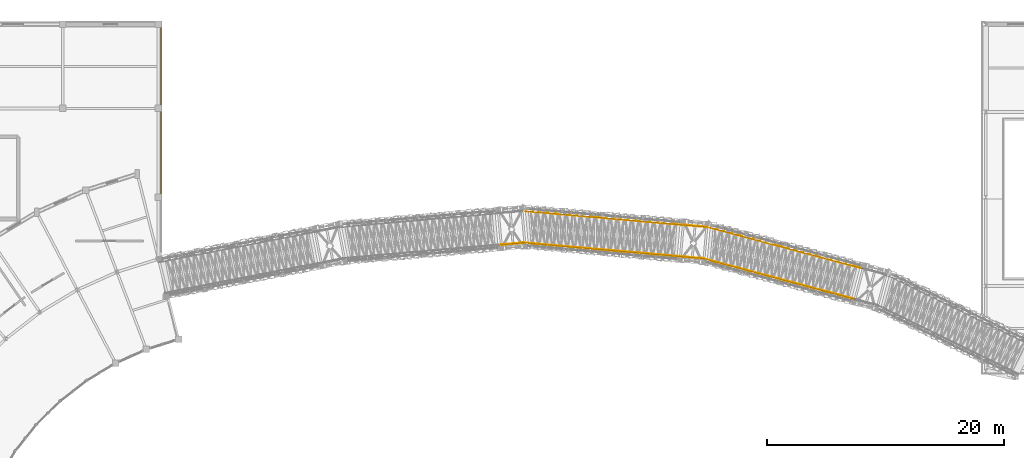
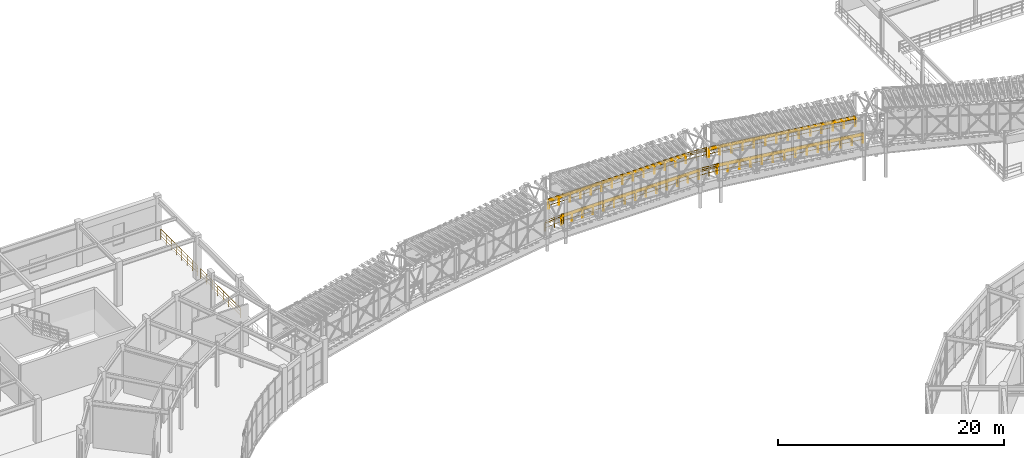
# One storey, part 139 of 144: 16 railings.
"""IFC4 building model written with IfcOpenShell, lengths in metres."""

import ifcopenshell
import ifcopenshell.guid

model = None  # the IFC model being written
_history = None  # IfcOwnerHistory: only IFC2X3 demands one
_inside = {}  # id of a spatial element -> (the spatial element, [elements in it])
_under = {}  # id of a project, library or spatial element -> (it, [spatial elements below it])
_declared = {}  # id of a project -> (the project, [libraries it declares])
_typed = {}  # id of a type object -> (the type object, [elements of that type])
_made_of = {}  # id of a material, layer set ... -> (it, [elements and type objects made of it])


def new_model(schema):
    """Start an empty IFC model of exactly this schema.

    Asked for "IFC4X3", IfcOpenShell would pick the latest addendum, in which some entities
    have other attributes; the version numbers below select the first issue.
    IFC2X3 requires an IfcOwnerHistory on every rooted entity: one is made here for all.
    """
    global model, _history
    if schema == "IFC4X3":
        model = ifcopenshell.file(schema_version=(4, 3, 0, 0))
    else:
        model = ifcopenshell.file(schema=schema)
    _inside.clear()
    _under.clear()
    _declared.clear()
    _typed.clear()
    _made_of.clear()
    _history = None
    if model.schema == "IFC2X3":
        org = make("IfcOrganization", Name="unknown")
        user = make(
            "IfcPersonAndOrganization",
            ThePerson=make("IfcPerson", FamilyName="unknown"),
            TheOrganization=org,
        )
        app = make(
            "IfcApplication",
            ApplicationDeveloper=org,
            Version="unknown",
            ApplicationFullName="unknown",
            ApplicationIdentifier="unknown",
        )
        _history = make(
            "IfcOwnerHistory",
            OwningUser=user,
            OwningApplication=app,
            ChangeAction="ADDED",
            CreationDate=0,
        )
    return model


def make(cls, **values):
    """One entity of the class cls with the attributes given. An attribute that is None is left unset."""
    return model.create_entity(
        cls, **{name: value for name, value in values.items() if value is not None}
    )


def rooted(cls, **values):
    """An entity with a GlobalId (a new one), such as an element, a storey or a relation."""
    return make(cls, GlobalId=ifcopenshell.guid.new(), OwnerHistory=_history, **values)


def si_unit(unit_type, name, prefix=None):
    """IfcSIUnit, for example si_unit("LENGTHUNIT", "METRE", prefix="MILLI")."""
    return make("IfcSIUnit", UnitType=unit_type, Prefix=prefix, Name=name)


def assignment(units):
    """IfcUnitAssignment: the units of a project."""
    return None if units is None else make("IfcUnitAssignment", Units=units)


def point(xyz):
    """IfcCartesianPoint."""
    return None if xyz is None else make("IfcCartesianPoint", Coordinates=xyz)


def direction(xyz):
    """IfcDirection."""
    return None if xyz is None else make("IfcDirection", DirectionRatios=xyz)


def frame(location, z_axis=None, x_axis=None):
    """IfcAxis2Placement3D, a coordinate frame: its origin and axes. An axis left out is left unset."""
    return make(
        "IfcAxis2Placement3D",
        Location=point(location),
        Axis=direction(z_axis),
        RefDirection=direction(x_axis),
    )


def frame_2d(location, x_axis=None):
    """IfcAxis2Placement2D, a coordinate frame in the plane: its origin and x axis."""
    return make(
        "IfcAxis2Placement2D", Location=point(location), RefDirection=direction(x_axis)
    )


def origin():
    """The frame at (0, 0, 0) with its axes left unset."""
    return frame((0.0, 0.0, 0.0))


def origin_2d():
    """The frame at (0, 0) in the plane with its x axis left unset."""
    return frame_2d((0.0, 0.0))


def place(relative_to, where):
    """IfcLocalPlacement: puts the frame where relative to a parent placement (None: the world)."""
    return make(
        "IfcLocalPlacement", PlacementRelTo=relative_to, RelativePlacement=where
    )


def context(
    kind, dimensions, precision=None, world=None, true_north=None, identifier=None
):
    """IfcGeometricRepresentationContext, for example the 3D "Model" context."""
    return make(
        "IfcGeometricRepresentationContext",
        ContextIdentifier=identifier,
        ContextType=kind,
        CoordinateSpaceDimension=dimensions,
        Precision=precision,
        WorldCoordinateSystem=world,
        TrueNorth=true_north,
    )


def subcontext(parent, identifier, kind, view, scale=None):
    """IfcGeometricRepresentationSubContext, for example "Body" below "Model"."""
    return make(
        "IfcGeometricRepresentationSubContext",
        ContextIdentifier=identifier,
        ContextType=kind,
        ParentContext=parent,
        TargetScale=scale,
        TargetView=view,
    )


def project(units=None, contexts=None):
    """IfcProject with its units and contexts."""
    return rooted(
        "IfcProject",
        Name="project",
        RepresentationContexts=contexts,
        UnitsInContext=assignment(units),
    )


def spatial(cls, under=None, at=None, **own):
    """A site, building, storey or space (cls), placed at a placement, below another one or the project."""
    s = rooted(cls, ObjectPlacement=at, **own)
    if under is not None:
        _under.setdefault(under.id(), (under, []))[1].append(s)
    return s


def profile(cls, at=None, kind="AREA", **sizes):
    """A parametric profile (cls). Its sizes go by their IFC names, for example OverallWidth=200.0."""
    return make(cls, ProfileType=kind, Position=at, **sizes)


def circle(**sizes):
    """IfcCircleProfileDef."""
    return profile("IfcCircleProfileDef", **sizes)


def extrude(swept, where, along, depth):
    """IfcExtrudedAreaSolid: the profile swept, set in the frame where, extruded along a direction by depth."""
    return make(
        "IfcExtrudedAreaSolid",
        SweptArea=swept,
        Position=where,
        ExtrudedDirection=direction(along),
        Depth=depth,
    )


def shape(context_of_items, identifier, shape_type, items):
    """IfcShapeRepresentation: the items that make up one representation, for example the "Body"."""
    return make(
        "IfcShapeRepresentation",
        ContextOfItems=context_of_items,
        RepresentationIdentifier=identifier,
        RepresentationType=shape_type,
        Items=items,
    )


def material(Name=None, Category=None):
    """IfcMaterial."""
    return make("IfcMaterial", Name=Name, Category=Category)


def made_of(thing, what):
    """Note that an element or type object is made of a material, layer set ...; save() writes the relation."""
    if what is not None:
        _made_of.setdefault(what.id(), (what, []))[1].append(thing)
    return thing


def type_object(cls, material=None, **own):
    """A type object (cls), such as IfcWallType, which elements share."""
    return made_of(rooted(cls, **own), material)


def element(
    cls,
    number,
    at=None,
    inside=None,
    cuts=None,
    type_object=None,
    material=None,
    context=None,
    identifier="Body",
    shape_type=None,
    held_by="IfcProductDefinitionShape",
    body=None,
    shapes=None,
    **own,
):
    """One element of the class cls, such as IfcWall. Its Tag is "e" and its number.

    at: its placement. inside: the storey or other place that contains it. cuts: it is an
    opening in that element (IfcRelVoidsElement). A single representation is given by context,
    identifier, shape_type and body (its items); several are given by shapes. held_by: the class
    of the entity that holds the representations. save() writes the other relations.
    """
    e = rooted(cls, Tag="e%d" % number, ObjectPlacement=at, **own)
    if body is not None:
        shapes = [shape(context, identifier, shape_type, body)]
    if shapes is not None:
        e.Representation = make(held_by, Representations=shapes)
    if inside is not None:
        _inside.setdefault(inside.id(), (inside, []))[1].append(e)
    if cuts is not None:
        rooted(
            "IfcRelVoidsElement", RelatingBuildingElement=cuts, RelatedOpeningElement=e
        )
    if type_object is not None:
        _typed.setdefault(type_object.id(), (type_object, []))[1].append(e)
    return made_of(e, material)


def aggregate(whole, parts):
    """IfcRelAggregates: a whole, such as a stair, and the parts it consists of."""
    return rooted("IfcRelAggregates", RelatingObject=whole, RelatedObjects=parts)


def save(model, path):
    """Write the relations noted so far, then the file.

    IfcRelAggregates (storeys below a building ...), IfcRelContainedInSpatialStructure (elements
    in a storey), IfcRelDefinesByType, IfcRelAssociatesMaterial and IfcRelDeclares: one each for
    every whole, place, type object, material and project.
    """
    for whole, parts in _under.values():
        aggregate(whole, parts)
    for where, things in _inside.values():
        rooted(
            "IfcRelContainedInSpatialStructure",
            RelatedElements=things,
            RelatingStructure=where,
        )
    for kind, things in _typed.values():
        rooted("IfcRelDefinesByType", RelatedObjects=things, RelatingType=kind)
    for what, things in _made_of.values():
        rooted("IfcRelAssociatesMaterial", RelatedObjects=things, RelatingMaterial=what)
    for by, libraries in _declared.values():
        rooted("IfcRelDeclares", RelatingContext=by, RelatedDefinitions=libraries)
    model.write(path)


model = new_model("IFC4")

# Units and contexts
model_context = context("Model", 3, precision=1e-05, world=origin(), true_north=direction((0.0, 1.0)))
body_context = subcontext(model_context, "Body", "Model", "MODEL_VIEW")
ifc_project = project(units=[si_unit("LENGTHUNIT", "METRE"), si_unit("AREAUNIT", "SQUARE_METRE"), si_unit("VOLUMEUNIT", "CUBIC_METRE"), si_unit("PLANEANGLEUNIT", "RADIAN"), si_unit("MASSUNIT", "GRAM", prefix="KILO")], contexts=[model_context])

# Site, building, storey
site_placement = place(None, origin())
site = spatial("IfcSite", under=ifc_project, at=site_placement, CompositionType="ELEMENT")
building_placement = place(site_placement, origin())
building = spatial("IfcBuilding", under=site, at=building_placement, Name="Cinderbank Siding Concert Hall", CompositionType="ELEMENT")
storey_placement = place(building_placement, frame((0.0, 0.0, 5.39990234375)))
storey = spatial("IfcBuildingStorey", under=building, at=storey_placement, Name="L02", CompositionType="ELEMENT", Elevation=5.39990234375)

# Railings
ifc_material = material(Name="Structural steel AS/NZS 3679.1 Grade 350 (340 MPa)", Category="steel")
railing_type_1 = type_object("IfcRailingType", Name="GD-01 Terrace & Perimeter Guardrail 1120mm", PredefinedType="GUARDRAIL", material=ifc_material)
railing_1_placement = place(storey_placement, frame((77.4619140625, 99.283203125, 1.920166015625)))
element("IfcRailing", 1, at=railing_1_placement, inside=storey, type_object=railing_type_1, Name="Bridge Guardrail 4-R", PredefinedType="GUARDRAIL", context=body_context, shape_type="SweptSolid", body=[
    extrude(circle(Radius=0.02392578125, at=origin_2d()), frame((0.0, 0.0, 1.09619140625), z_axis=(0.99619464492, 0.087156350505, 0.0), x_axis=(-0.087156350505, 0.99619464492, 0.0)), (0.0, 0.0, 1.0), 2.0),
    extrude(circle(Radius=0.01611328125, at=origin_2d()), frame((0.0, 0.0, 0.36962890625), z_axis=(0.99619464492, 0.087156350505, 0.0), x_axis=(-0.087156350505, 0.99619464492, 0.0)), (0.0, 0.0, 1.0), 2.0),
    extrude(circle(Radius=0.01611328125, at=origin_2d()), frame((0.0, 0.0, 0.7392578125), z_axis=(0.99619464492, 0.087156350505, 0.0), x_axis=(-0.087156350505, 0.99619464492, 0.0)), (0.0, 0.0, 1.0), 2.0),
    extrude(circle(Radius=0.02099609375, at=origin_2d()), origin(), (0.0, 0.0, 1.0), 1.072021484375),
    extrude(circle(Radius=0.02099609375, at=origin_2d()), frame((0.99609375, 0.087158203125, 0.0)), (0.0, 0.0, 1.0), 1.072021484375),
    extrude(circle(Radius=0.02099609375, at=origin_2d()), frame((1.992431640625, 0.17431640625, 0.0)), (0.0, 0.0, 1.0), 1.072021484375),
])
railing_2_placement = place(storey_placement, frame((79.454345703125, 102.126220703125, 1.920166015625)))
element("IfcRailing", 2, at=railing_2_placement, inside=storey, type_object=railing_type_1, Name="Bridge Guardrail 5-L", PredefinedType="GUARDRAIL", context=body_context, shape_type="SweptSolid", body=[
    extrude(circle(Radius=0.02392578125, at=origin_2d()), frame((0.0, 0.0, 1.09619140625), z_axis=(0.993663242366, -0.086934888803, 0.071243848015), x_axis=(0.087156359341, 0.996194644147, 0.0)), (0.0, 0.0, 1.0), 13.474365234375),
    extrude(circle(Radius=0.01611328125, at=origin_2d()), frame((0.0, 0.0, 0.36962890625), z_axis=(0.993663242366, -0.086934888803, 0.071243848015), x_axis=(0.087156359341, 0.996194644147, 0.0)), (0.0, 0.0, 1.0), 13.474365234375),
    extrude(circle(Radius=0.01611328125, at=origin_2d()), frame((0.0, 0.0, 0.7392578125), z_axis=(0.993663242366, -0.086934888803, 0.071243848015), x_axis=(0.087156359341, 0.996194644147, 0.0)), (0.0, 0.0, 1.0), 13.474365234375),
    extrude(circle(Radius=0.02099609375, at=origin_2d()), origin(), (0.0, 0.0, 1.0), 1.072021484375),
    extrude(circle(Radius=0.02099609375, at=origin_2d()), frame((1.030029296875, -0.090087890625, 0.07373046875)), (0.0, 0.0, 1.0), 1.072021484375),
    extrude(circle(Radius=0.02099609375, at=origin_2d()), frame((2.059814453125, -0.18017578125, 0.147705078125)), (0.0, 0.0, 1.0), 1.072021484375),
    extrude(circle(Radius=0.02099609375, at=origin_2d()), frame((3.08984375, -0.270263671875, 0.221435546875)), (0.0, 0.0, 1.0), 1.072021484375),
    extrude(circle(Radius=0.02099609375, at=origin_2d()), frame((4.11962890625, -0.3603515625, 0.29541015625)), (0.0, 0.0, 1.0), 1.072021484375),
    extrude(circle(Radius=0.02099609375, at=origin_2d()), frame((5.149658203125, -0.450439453125, 0.369140625)), (0.0, 0.0, 1.0), 1.072021484375),
    extrude(circle(Radius=0.02099609375, at=origin_2d()), frame((6.179443359375, -0.54052734375, 0.443115234375)), (0.0, 0.0, 1.0), 1.072021484375),
    extrude(circle(Radius=0.02099609375, at=origin_2d()), frame((7.20947265625, -0.630859375, 0.516845703125)), (0.0, 0.0, 1.0), 1.072021484375),
    extrude(circle(Radius=0.02099609375, at=origin_2d()), frame((8.2392578125, -0.720947265625, 0.5908203125)), (0.0, 0.0, 1.0), 1.072021484375),
    extrude(circle(Radius=0.02099609375, at=origin_2d()), frame((9.269287109375, -0.81103515625, 0.66455078125)), (0.0, 0.0, 1.0), 1.072021484375),
    extrude(circle(Radius=0.02099609375, at=origin_2d()), frame((10.299072265625, -0.901123046875, 0.738525390625)), (0.0, 0.0, 1.0), 1.072021484375),
    extrude(circle(Radius=0.02099609375, at=origin_2d()), frame((11.3291015625, -0.9912109375, 0.812255859375)), (0.0, 0.0, 1.0), 1.072021484375),
    extrude(circle(Radius=0.02099609375, at=origin_2d()), frame((12.35888671875, -1.081298828125, 0.88623046875)), (0.0, 0.0, 1.0), 1.072021484375),
    extrude(circle(Radius=0.02099609375, at=origin_2d()), frame((13.388916015625, -1.17138671875, 0.9599609375)), (0.0, 0.0, 1.0), 1.072021484375),
])
railing_3_placement = place(storey_placement, frame((79.220947265625, 99.45751953125, 1.920166015625)))
element("IfcRailing", 3, at=railing_3_placement, inside=storey, type_object=railing_type_1, Name="Bridge Guardrail 5-R", PredefinedType="GUARDRAIL", context=body_context, shape_type="SweptSolid", body=[
    extrude(circle(Radius=0.02392578125, at=origin_2d()), frame((0.0, 0.0, 1.09619140625), z_axis=(0.993661677016, -0.086952870808, 0.071243735782), x_axis=(0.087174386455, 0.996193066803, 0.0)), (0.0, 0.0, 1.0), 13.474365234375),
    extrude(circle(Radius=0.01611328125, at=origin_2d()), frame((0.0, 0.0, 0.36962890625), z_axis=(0.993661677016, -0.086952870808, 0.071243735782), x_axis=(0.087174386455, 0.996193066803, 0.0)), (0.0, 0.0, 1.0), 13.474365234375),
    extrude(circle(Radius=0.01611328125, at=origin_2d()), frame((0.0, 0.0, 0.7392578125), z_axis=(0.993661677016, -0.086952870808, 0.071243735782), x_axis=(0.087174386455, 0.996193066803, 0.0)), (0.0, 0.0, 1.0), 13.474365234375),
    extrude(circle(Radius=0.02099609375, at=origin_2d()), origin(), (0.0, 0.0, 1.0), 1.072021484375),
    extrude(circle(Radius=0.02099609375, at=origin_2d()), frame((1.030029296875, -0.090087890625, 0.07373046875)), (0.0, 0.0, 1.0), 1.072021484375),
    extrude(circle(Radius=0.02099609375, at=origin_2d()), frame((2.059814453125, -0.18017578125, 0.147705078125)), (0.0, 0.0, 1.0), 1.072021484375),
    extrude(circle(Radius=0.02099609375, at=origin_2d()), frame((3.08984375, -0.270263671875, 0.221435546875)), (0.0, 0.0, 1.0), 1.072021484375),
    extrude(circle(Radius=0.02099609375, at=origin_2d()), frame((4.11962890625, -0.360595703125, 0.29541015625)), (0.0, 0.0, 1.0), 1.072021484375),
    extrude(circle(Radius=0.02099609375, at=origin_2d()), frame((5.149658203125, -0.45068359375, 0.369140625)), (0.0, 0.0, 1.0), 1.072021484375),
    extrude(circle(Radius=0.02099609375, at=origin_2d()), frame((6.179443359375, -0.540771484375, 0.443115234375)), (0.0, 0.0, 1.0), 1.072021484375),
    extrude(circle(Radius=0.02099609375, at=origin_2d()), frame((7.20947265625, -0.630859375, 0.516845703125)), (0.0, 0.0, 1.0), 1.072021484375),
    extrude(circle(Radius=0.02099609375, at=origin_2d()), frame((8.2392578125, -0.720947265625, 0.5908203125)), (0.0, 0.0, 1.0), 1.072021484375),
    extrude(circle(Radius=0.02099609375, at=origin_2d()), frame((9.269287109375, -0.81103515625, 0.66455078125)), (0.0, 0.0, 1.0), 1.072021484375),
    extrude(circle(Radius=0.02099609375, at=origin_2d()), frame((10.299072265625, -0.9013671875, 0.738525390625)), (0.0, 0.0, 1.0), 1.072021484375),
    extrude(circle(Radius=0.02099609375, at=origin_2d()), frame((11.3291015625, -0.991455078125, 0.812255859375)), (0.0, 0.0, 1.0), 1.072021484375),
    extrude(circle(Radius=0.02099609375, at=origin_2d()), frame((12.35888671875, -1.08154296875, 0.88623046875)), (0.0, 0.0, 1.0), 1.072021484375),
    extrude(circle(Radius=0.02099609375, at=origin_2d()), frame((13.388916015625, -1.171630859375, 0.9599609375)), (0.0, 0.0, 1.0), 1.072021484375),
])
railing_4_placement = place(storey_placement, frame((92.84326171875, 100.954833984375, 2.880126953125)))
element("IfcRailing", 4, at=railing_4_placement, inside=storey, type_object=railing_type_1, Name="Bridge Guardrail 6-L", PredefinedType="GUARDRAIL", context=body_context, shape_type="SweptSolid", body=[
    extrude(circle(Radius=0.02392578125, at=origin_2d()), frame((0.0, 0.0, 1.09619140625), z_axis=(0.99619464492, -0.087156350505, 0.0), x_axis=(0.087156350505, 0.99619464492, 0.0)), (0.0, 0.0, 1.0), 2.0),
    extrude(circle(Radius=0.01611328125, at=origin_2d()), frame((0.0, 0.0, 0.36962890625), z_axis=(0.99619464492, -0.087156350505, 0.0), x_axis=(0.087156350505, 0.99619464492, 0.0)), (0.0, 0.0, 1.0), 2.0),
    extrude(circle(Radius=0.01611328125, at=origin_2d()), frame((0.0, 0.0, 0.7392578125), z_axis=(0.99619464492, -0.087156350505, 0.0), x_axis=(0.087156350505, 0.99619464492, 0.0)), (0.0, 0.0, 1.0), 2.0),
    extrude(circle(Radius=0.02099609375, at=origin_2d()), origin(), (0.0, 0.0, 1.0), 1.072021484375),
    extrude(circle(Radius=0.02099609375, at=origin_2d()), frame((0.99609375, -0.087158203125, 0.0)), (0.0, 0.0, 1.0), 1.072021484375),
    extrude(circle(Radius=0.02099609375, at=origin_2d()), frame((1.992431640625, -0.17431640625, 0.0)), (0.0, 0.0, 1.0), 1.072021484375),
])
railing_5_placement = place(storey_placement, frame((92.60986328125, 98.285888671875, 2.880126953125)))
element("IfcRailing", 5, at=railing_5_placement, inside=storey, type_object=railing_type_1, Name="Bridge Guardrail 6-R", PredefinedType="GUARDRAIL", context=body_context, shape_type="SweptSolid", body=[
    extrude(circle(Radius=0.02392578125, at=origin_2d()), frame((0.0, 0.0, 1.09619140625), z_axis=(0.996205236158, -0.087035208109, 0.0), x_axis=(0.087035208109, 0.996205236158, 0.0)), (0.0, 0.0, 1.0), 2.0),
    extrude(circle(Radius=0.01611328125, at=origin_2d()), frame((0.0, 0.0, 0.36962890625), z_axis=(0.996205236158, -0.087035208109, 0.0), x_axis=(0.087035208109, 0.996205236158, 0.0)), (0.0, 0.0, 1.0), 2.0),
    extrude(circle(Radius=0.01611328125, at=origin_2d()), frame((0.0, 0.0, 0.7392578125), z_axis=(0.996205236158, -0.087035208109, 0.0), x_axis=(0.087035208109, 0.996205236158, 0.0)), (0.0, 0.0, 1.0), 2.0),
    extrude(circle(Radius=0.02099609375, at=origin_2d()), origin(), (0.0, 0.0, 1.0), 1.072021484375),
    extrude(circle(Radius=0.02099609375, at=origin_2d()), frame((0.99609375, -0.0869140625, 0.0)), (0.0, 0.0, 1.0), 1.072021484375),
    extrude(circle(Radius=0.02099609375, at=origin_2d()), frame((1.992431640625, -0.174072265625, 0.0)), (0.0, 0.0, 1.0), 1.072021484375),
])
railing_6_placement = place(storey_placement, frame((95.065673828125, 100.739990234375, 2.880126953125)))
element("IfcRailing", 6, at=railing_6_placement, inside=storey, type_object=railing_type_1, Name="Bridge Guardrail 7-L", PredefinedType="GUARDRAIL", context=body_context, shape_type="SweptSolid", body=[
    extrude(circle(Radius=0.02392578125, at=origin_2d()), frame((0.0, 0.0, 1.09619140625), z_axis=(0.963470962707, -0.25816252824, 0.071244740387), x_axis=(0.258820225426, 0.965925510022, 0.0)), (0.0, 0.0, 1.0), 13.47412109375),
    extrude(circle(Radius=0.01611328125, at=origin_2d()), frame((0.0, 0.0, 0.36962890625), z_axis=(0.963470962707, -0.25816252824, 0.071244740387), x_axis=(0.258820225426, 0.965925510022, 0.0)), (0.0, 0.0, 1.0), 13.47412109375),
    extrude(circle(Radius=0.01611328125, at=origin_2d()), frame((0.0, 0.0, 0.7392578125), z_axis=(0.963470962707, -0.25816252824, 0.071244740387), x_axis=(0.258820225426, 0.965925510022, 0.0)), (0.0, 0.0, 1.0), 13.47412109375),
    extrude(circle(Radius=0.02099609375, at=origin_2d()), origin(), (0.0, 0.0, 1.0), 1.072021484375),
    extrude(circle(Radius=0.02099609375, at=origin_2d()), frame((0.99853515625, -0.267578125, 0.07373046875)), (0.0, 0.0, 1.0), 1.072021484375),
    extrude(circle(Radius=0.02099609375, at=origin_2d()), frame((1.997314453125, -0.53515625, 0.147705078125)), (0.0, 0.0, 1.0), 1.072021484375),
    extrude(circle(Radius=0.02099609375, at=origin_2d()), frame((2.995849609375, -0.802734375, 0.221435546875)), (0.0, 0.0, 1.0), 1.072021484375),
    extrude(circle(Radius=0.02099609375, at=origin_2d()), frame((3.994384765625, -1.0703125, 0.29541015625)), (0.0, 0.0, 1.0), 1.072021484375),
    extrude(circle(Radius=0.02099609375, at=origin_2d()), frame((4.9931640625, -1.337890625, 0.369140625)), (0.0, 0.0, 1.0), 1.072021484375),
    extrude(circle(Radius=0.02099609375, at=origin_2d()), frame((5.99169921875, -1.60546875, 0.443115234375)), (0.0, 0.0, 1.0), 1.072021484375),
    extrude(circle(Radius=0.02099609375, at=origin_2d()), frame((6.990234375, -1.873046875, 0.516845703125)), (0.0, 0.0, 1.0), 1.072021484375),
    extrude(circle(Radius=0.02099609375, at=origin_2d()), frame((7.98876953125, -2.140625, 0.5908203125)), (0.0, 0.0, 1.0), 1.072021484375),
    extrude(circle(Radius=0.02099609375, at=origin_2d()), frame((8.987548828125, -2.408203125, 0.66455078125)), (0.0, 0.0, 1.0), 1.072021484375),
    extrude(circle(Radius=0.02099609375, at=origin_2d()), frame((9.986083984375, -2.67578125, 0.738525390625)), (0.0, 0.0, 1.0), 1.072021484375),
    extrude(circle(Radius=0.02099609375, at=origin_2d()), frame((10.984619140625, -2.943359375, 0.812255859375)), (0.0, 0.0, 1.0), 1.072021484375),
    extrude(circle(Radius=0.02099609375, at=origin_2d()), frame((11.9833984375, -3.2109375, 0.88623046875)), (0.0, 0.0, 1.0), 1.072021484375),
    extrude(circle(Radius=0.02099609375, at=origin_2d()), frame((12.98193359375, -3.478515625, 0.9599609375)), (0.0, 0.0, 1.0), 1.072021484375),
])
railing_7_placement = place(storey_placement, frame((94.372314453125, 98.152099609375, 2.880126953125)))
element("IfcRailing", 7, at=railing_7_placement, inside=storey, type_object=railing_type_1, Name="Bridge Guardrail 7-R", PredefinedType="GUARDRAIL", context=body_context, shape_type="SweptSolid", body=[
    extrude(circle(Radius=0.02392578125, at=origin_2d()), frame((0.0, 0.0, 1.09619140625), z_axis=(0.963470962707, -0.25816252824, 0.071244740387), x_axis=(0.258820225426, 0.965925510022, 0.0)), (0.0, 0.0, 1.0), 13.47412109375),
    extrude(circle(Radius=0.01611328125, at=origin_2d()), frame((0.0, 0.0, 0.36962890625), z_axis=(0.963470962707, -0.25816252824, 0.071244740387), x_axis=(0.258820225426, 0.965925510022, 0.0)), (0.0, 0.0, 1.0), 13.47412109375),
    extrude(circle(Radius=0.01611328125, at=origin_2d()), frame((0.0, 0.0, 0.7392578125), z_axis=(0.963470962707, -0.25816252824, 0.071244740387), x_axis=(0.258820225426, 0.965925510022, 0.0)), (0.0, 0.0, 1.0), 13.47412109375),
    extrude(circle(Radius=0.02099609375, at=origin_2d()), origin(), (0.0, 0.0, 1.0), 1.072021484375),
    extrude(circle(Radius=0.02099609375, at=origin_2d()), frame((0.99853515625, -0.267578125, 0.07373046875)), (0.0, 0.0, 1.0), 1.072021484375),
    extrude(circle(Radius=0.02099609375, at=origin_2d()), frame((1.997314453125, -0.53515625, 0.147705078125)), (0.0, 0.0, 1.0), 1.072021484375),
    extrude(circle(Radius=0.02099609375, at=origin_2d()), frame((2.995849609375, -0.802734375, 0.221435546875)), (0.0, 0.0, 1.0), 1.072021484375),
    extrude(circle(Radius=0.02099609375, at=origin_2d()), frame((3.994384765625, -1.0703125, 0.29541015625)), (0.0, 0.0, 1.0), 1.072021484375),
    extrude(circle(Radius=0.02099609375, at=origin_2d()), frame((4.9931640625, -1.337890625, 0.369140625)), (0.0, 0.0, 1.0), 1.072021484375),
    extrude(circle(Radius=0.02099609375, at=origin_2d()), frame((5.99169921875, -1.60546875, 0.443115234375)), (0.0, 0.0, 1.0), 1.072021484375),
    extrude(circle(Radius=0.02099609375, at=origin_2d()), frame((6.990234375, -1.873046875, 0.516845703125)), (0.0, 0.0, 1.0), 1.072021484375),
    extrude(circle(Radius=0.02099609375, at=origin_2d()), frame((7.98876953125, -2.140625, 0.5908203125)), (0.0, 0.0, 1.0), 1.072021484375),
    extrude(circle(Radius=0.02099609375, at=origin_2d()), frame((8.987548828125, -2.408203125, 0.66455078125)), (0.0, 0.0, 1.0), 1.072021484375),
    extrude(circle(Radius=0.02099609375, at=origin_2d()), frame((9.986083984375, -2.67578125, 0.738525390625)), (0.0, 0.0, 1.0), 1.072021484375),
    extrude(circle(Radius=0.02099609375, at=origin_2d()), frame((10.984619140625, -2.943359375, 0.812255859375)), (0.0, 0.0, 1.0), 1.072021484375),
    extrude(circle(Radius=0.02099609375, at=origin_2d()), frame((11.9833984375, -3.2109375, 0.88623046875)), (0.0, 0.0, 1.0), 1.072021484375),
    extrude(circle(Radius=0.02099609375, at=origin_2d()), frame((12.98193359375, -3.478515625, 0.9599609375)), (0.0, 0.0, 1.0), 1.072021484375),
])
railing_8_placement = place(storey_placement, frame((48.699951171875, 117.6318359375, 0.0)))
element("IfcRailing", 8, at=railing_8_placement, inside=storey, type_object=railing_type_1, Name="L02 Perimeter Guardrail #44", PredefinedType="GUARDRAIL", context=body_context, shape_type="SweptSolid", body=[
    extrude(circle(Radius=0.02392578125, at=origin_2d()), frame((0.0, 0.0, 1.09619140625), z_axis=(0.0, -1.0, 0.0), x_axis=(1.0, 0.0, 0.0)), (0.0, 0.0, 1.0), 6.563720703125),
    extrude(circle(Radius=0.01611328125, at=origin_2d()), frame((0.0, 0.0, 0.36962890625), z_axis=(0.0, -1.0, 0.0), x_axis=(1.0, 0.0, 0.0)), (0.0, 0.0, 1.0), 6.563720703125),
    extrude(circle(Radius=0.01611328125, at=origin_2d()), frame((0.0, 0.0, 0.7392578125), z_axis=(0.0, -1.0, 0.0), x_axis=(1.0, 0.0, 0.0)), (0.0, 0.0, 1.0), 6.563720703125),
    extrude(circle(Radius=0.02099609375, at=origin_2d()), origin(), (0.0, 0.0, 1.0), 1.072021484375),
    extrude(circle(Radius=0.02099609375, at=origin_2d()), frame((0.0, -0.937744140625, 0.0)), (0.0, 0.0, 1.0), 1.072021484375),
    extrude(circle(Radius=0.02099609375, at=origin_2d()), frame((0.0, -1.875244140625, 0.0)), (0.0, 0.0, 1.0), 1.072021484375),
    extrude(circle(Radius=0.02099609375, at=origin_2d()), frame((0.0, -2.81298828125, 0.0)), (0.0, 0.0, 1.0), 1.072021484375),
    extrude(circle(Radius=0.02099609375, at=origin_2d()), frame((0.0, -3.750732421875, 0.0)), (0.0, 0.0, 1.0), 1.072021484375),
    extrude(circle(Radius=0.02099609375, at=origin_2d()), frame((0.0, -4.6884765625, 0.0)), (0.0, 0.0, 1.0), 1.072021484375),
    extrude(circle(Radius=0.02099609375, at=origin_2d()), frame((0.0, -5.6259765625, 0.0)), (0.0, 0.0, 1.0), 1.072021484375),
    extrude(circle(Radius=0.02099609375, at=origin_2d()), frame((0.0, -6.563720703125, 0.0)), (0.0, 0.0, 1.0), 1.072021484375),
])
railing_9_placement = place(storey_placement, frame((48.699951171875, 110.53173828125, 0.0)))
element("IfcRailing", 9, at=railing_9_placement, inside=storey, type_object=railing_type_1, Name="L02 Perimeter Guardrail #45", PredefinedType="GUARDRAIL", context=body_context, shape_type="SweptSolid", body=[
    extrude(circle(Radius=0.02392578125, at=origin_2d()), frame((0.0, 0.0, 1.09619140625), z_axis=(0.0, -1.0, 0.0), x_axis=(1.0, 0.0, 0.0)), (0.0, 0.0, 1.0), 6.963623046875),
    extrude(circle(Radius=0.01611328125, at=origin_2d()), frame((0.0, 0.0, 0.36962890625), z_axis=(0.0, -1.0, 0.0), x_axis=(1.0, 0.0, 0.0)), (0.0, 0.0, 1.0), 6.963623046875),
    extrude(circle(Radius=0.01611328125, at=origin_2d()), frame((0.0, 0.0, 0.7392578125), z_axis=(0.0, -1.0, 0.0), x_axis=(1.0, 0.0, 0.0)), (0.0, 0.0, 1.0), 6.963623046875),
    extrude(circle(Radius=0.02099609375, at=origin_2d()), origin(), (0.0, 0.0, 1.0), 1.072021484375),
    extrude(circle(Radius=0.02099609375, at=origin_2d()), frame((0.0, -0.994873046875, 0.0)), (0.0, 0.0, 1.0), 1.072021484375),
    extrude(circle(Radius=0.02099609375, at=origin_2d()), frame((0.0, -1.989501953125, 0.0)), (0.0, 0.0, 1.0), 1.072021484375),
    extrude(circle(Radius=0.02099609375, at=origin_2d()), frame((0.0, -2.984375, 0.0)), (0.0, 0.0, 1.0), 1.072021484375),
    extrude(circle(Radius=0.02099609375, at=origin_2d()), frame((0.0, -3.979248046875, 0.0)), (0.0, 0.0, 1.0), 1.072021484375),
    extrude(circle(Radius=0.02099609375, at=origin_2d()), frame((0.0, -4.97412109375, 0.0)), (0.0, 0.0, 1.0), 1.072021484375),
    extrude(circle(Radius=0.02099609375, at=origin_2d()), frame((0.0, -5.96875, 0.0)), (0.0, 0.0, 1.0), 1.072021484375),
    extrude(circle(Radius=0.02099609375, at=origin_2d()), frame((0.0, -6.963623046875, 0.0)), (0.0, 0.0, 1.0), 1.072021484375),
])
railing_type_2 = type_object("IfcRailingType", Name="HR-01 Accessible Ramp Handrail 920mm", PredefinedType="HANDRAIL", material=ifc_material)
railing_10_placement = place(storey_placement, frame((77.4619140625, 99.283203125, 1.920166015625)))
element("IfcRailing", 10, at=railing_10_placement, inside=storey, type_object=railing_type_2, Name="Bridge Handrail 4-R", PredefinedType="HANDRAIL", context=body_context, shape_type="SweptSolid", body=[
    extrude(circle(Radius=0.02392578125, at=origin_2d()), frame((0.0, 0.0, 0.89599609375), z_axis=(0.99619464492, 0.087156350505, 0.0), x_axis=(-0.087156350505, 0.99619464492, 0.0)), (0.0, 0.0, 1.0), 2.0),
    extrude(circle(Radius=0.02099609375, at=origin_2d()), origin(), (0.0, 0.0, 1.0), 0.871826171875),
    extrude(circle(Radius=0.02099609375, at=origin_2d()), frame((0.99609375, 0.087158203125, 0.0)), (0.0, 0.0, 1.0), 0.871826171875),
    extrude(circle(Radius=0.02099609375, at=origin_2d()), frame((1.992431640625, 0.17431640625, 0.0)), (0.0, 0.0, 1.0), 0.871826171875),
])
railing_11_placement = place(storey_placement, frame((79.454345703125, 102.126220703125, 1.920166015625)))
element("IfcRailing", 11, at=railing_11_placement, inside=storey, type_object=railing_type_2, Name="Bridge Handrail 5-L", PredefinedType="HANDRAIL", context=body_context, shape_type="SweptSolid", body=[
    extrude(circle(Radius=0.02392578125, at=origin_2d()), frame((0.0, 0.0, 0.89599609375), z_axis=(0.993663242366, -0.086934888803, 0.071243848015), x_axis=(0.087156359341, 0.996194644147, 0.0)), (0.0, 0.0, 1.0), 13.474365234375),
    extrude(circle(Radius=0.02099609375, at=origin_2d()), origin(), (0.0, 0.0, 1.0), 0.871826171875),
    extrude(circle(Radius=0.02099609375, at=origin_2d()), frame((1.030029296875, -0.090087890625, 0.07373046875)), (0.0, 0.0, 1.0), 0.871826171875),
    extrude(circle(Radius=0.02099609375, at=origin_2d()), frame((2.059814453125, -0.18017578125, 0.147705078125)), (0.0, 0.0, 1.0), 0.871826171875),
    extrude(circle(Radius=0.02099609375, at=origin_2d()), frame((3.08984375, -0.270263671875, 0.221435546875)), (0.0, 0.0, 1.0), 0.871826171875),
    extrude(circle(Radius=0.02099609375, at=origin_2d()), frame((4.11962890625, -0.3603515625, 0.29541015625)), (0.0, 0.0, 1.0), 0.871826171875),
    extrude(circle(Radius=0.02099609375, at=origin_2d()), frame((5.149658203125, -0.450439453125, 0.369140625)), (0.0, 0.0, 1.0), 0.871826171875),
    extrude(circle(Radius=0.02099609375, at=origin_2d()), frame((6.179443359375, -0.54052734375, 0.443115234375)), (0.0, 0.0, 1.0), 0.871826171875),
    extrude(circle(Radius=0.02099609375, at=origin_2d()), frame((7.20947265625, -0.630859375, 0.516845703125)), (0.0, 0.0, 1.0), 0.871826171875),
    extrude(circle(Radius=0.02099609375, at=origin_2d()), frame((8.2392578125, -0.720947265625, 0.5908203125)), (0.0, 0.0, 1.0), 0.871826171875),
    extrude(circle(Radius=0.02099609375, at=origin_2d()), frame((9.269287109375, -0.81103515625, 0.66455078125)), (0.0, 0.0, 1.0), 0.871826171875),
    extrude(circle(Radius=0.02099609375, at=origin_2d()), frame((10.299072265625, -0.901123046875, 0.738525390625)), (0.0, 0.0, 1.0), 0.871826171875),
    extrude(circle(Radius=0.02099609375, at=origin_2d()), frame((11.3291015625, -0.9912109375, 0.812255859375)), (0.0, 0.0, 1.0), 0.871826171875),
    extrude(circle(Radius=0.02099609375, at=origin_2d()), frame((12.35888671875, -1.081298828125, 0.88623046875)), (0.0, 0.0, 1.0), 0.871826171875),
    extrude(circle(Radius=0.02099609375, at=origin_2d()), frame((13.388916015625, -1.17138671875, 0.9599609375)), (0.0, 0.0, 1.0), 0.871826171875),
])
railing_12_placement = place(storey_placement, frame((79.220947265625, 99.45751953125, 1.920166015625)))
element("IfcRailing", 12, at=railing_12_placement, inside=storey, type_object=railing_type_2, Name="Bridge Handrail 5-R", PredefinedType="HANDRAIL", context=body_context, shape_type="SweptSolid", body=[
    extrude(circle(Radius=0.02392578125, at=origin_2d()), frame((0.0, 0.0, 0.89599609375), z_axis=(0.993661677016, -0.086952870808, 0.071243735782), x_axis=(0.087174386455, 0.996193066803, 0.0)), (0.0, 0.0, 1.0), 13.474365234375),
    extrude(circle(Radius=0.02099609375, at=origin_2d()), origin(), (0.0, 0.0, 1.0), 0.871826171875),
    extrude(circle(Radius=0.02099609375, at=origin_2d()), frame((1.030029296875, -0.090087890625, 0.07373046875)), (0.0, 0.0, 1.0), 0.871826171875),
    extrude(circle(Radius=0.02099609375, at=origin_2d()), frame((2.059814453125, -0.18017578125, 0.147705078125)), (0.0, 0.0, 1.0), 0.871826171875),
    extrude(circle(Radius=0.02099609375, at=origin_2d()), frame((3.08984375, -0.270263671875, 0.221435546875)), (0.0, 0.0, 1.0), 0.871826171875),
    extrude(circle(Radius=0.02099609375, at=origin_2d()), frame((4.11962890625, -0.360595703125, 0.29541015625)), (0.0, 0.0, 1.0), 0.871826171875),
    extrude(circle(Radius=0.02099609375, at=origin_2d()), frame((5.149658203125, -0.45068359375, 0.369140625)), (0.0, 0.0, 1.0), 0.871826171875),
    extrude(circle(Radius=0.02099609375, at=origin_2d()), frame((6.179443359375, -0.540771484375, 0.443115234375)), (0.0, 0.0, 1.0), 0.871826171875),
    extrude(circle(Radius=0.02099609375, at=origin_2d()), frame((7.20947265625, -0.630859375, 0.516845703125)), (0.0, 0.0, 1.0), 0.871826171875),
    extrude(circle(Radius=0.02099609375, at=origin_2d()), frame((8.2392578125, -0.720947265625, 0.5908203125)), (0.0, 0.0, 1.0), 0.871826171875),
    extrude(circle(Radius=0.02099609375, at=origin_2d()), frame((9.269287109375, -0.81103515625, 0.66455078125)), (0.0, 0.0, 1.0), 0.871826171875),
    extrude(circle(Radius=0.02099609375, at=origin_2d()), frame((10.299072265625, -0.9013671875, 0.738525390625)), (0.0, 0.0, 1.0), 0.871826171875),
    extrude(circle(Radius=0.02099609375, at=origin_2d()), frame((11.3291015625, -0.991455078125, 0.812255859375)), (0.0, 0.0, 1.0), 0.871826171875),
    extrude(circle(Radius=0.02099609375, at=origin_2d()), frame((12.35888671875, -1.08154296875, 0.88623046875)), (0.0, 0.0, 1.0), 0.871826171875),
    extrude(circle(Radius=0.02099609375, at=origin_2d()), frame((13.388916015625, -1.171630859375, 0.9599609375)), (0.0, 0.0, 1.0), 0.871826171875),
])
railing_13_placement = place(storey_placement, frame((92.84326171875, 100.954833984375, 2.880126953125)))
element("IfcRailing", 13, at=railing_13_placement, inside=storey, type_object=railing_type_2, Name="Bridge Handrail 6-L", PredefinedType="HANDRAIL", context=body_context, shape_type="SweptSolid", body=[
    extrude(circle(Radius=0.02392578125, at=origin_2d()), frame((0.0, 0.0, 0.89599609375), z_axis=(0.99619464492, -0.087156350505, 0.0), x_axis=(0.087156350505, 0.99619464492, 0.0)), (0.0, 0.0, 1.0), 2.0),
    extrude(circle(Radius=0.02099609375, at=origin_2d()), origin(), (0.0, 0.0, 1.0), 0.871826171875),
    extrude(circle(Radius=0.02099609375, at=origin_2d()), frame((0.99609375, -0.087158203125, 0.0)), (0.0, 0.0, 1.0), 0.871826171875),
    extrude(circle(Radius=0.02099609375, at=origin_2d()), frame((1.992431640625, -0.17431640625, 0.0)), (0.0, 0.0, 1.0), 0.871826171875),
])
railing_14_placement = place(storey_placement, frame((92.60986328125, 98.285888671875, 2.880126953125)))
element("IfcRailing", 14, at=railing_14_placement, inside=storey, type_object=railing_type_2, Name="Bridge Handrail 6-R", PredefinedType="HANDRAIL", context=body_context, shape_type="SweptSolid", body=[
    extrude(circle(Radius=0.02392578125, at=origin_2d()), frame((0.0, 0.0, 0.89599609375), z_axis=(0.996205236158, -0.087035208109, 0.0), x_axis=(0.087035208109, 0.996205236158, 0.0)), (0.0, 0.0, 1.0), 2.0),
    extrude(circle(Radius=0.02099609375, at=origin_2d()), origin(), (0.0, 0.0, 1.0), 0.871826171875),
    extrude(circle(Radius=0.02099609375, at=origin_2d()), frame((0.99609375, -0.0869140625, 0.0)), (0.0, 0.0, 1.0), 0.871826171875),
    extrude(circle(Radius=0.02099609375, at=origin_2d()), frame((1.992431640625, -0.174072265625, 0.0)), (0.0, 0.0, 1.0), 0.871826171875),
])
railing_15_placement = place(storey_placement, frame((95.065673828125, 100.739990234375, 2.880126953125)))
element("IfcRailing", 15, at=railing_15_placement, inside=storey, type_object=railing_type_2, Name="Bridge Handrail 7-L", PredefinedType="HANDRAIL", context=body_context, shape_type="SweptSolid", body=[
    extrude(circle(Radius=0.02392578125, at=origin_2d()), frame((0.0, 0.0, 0.89599609375), z_axis=(0.963470962707, -0.25816252824, 0.071244740387), x_axis=(0.258820225426, 0.965925510022, 0.0)), (0.0, 0.0, 1.0), 13.47412109375),
    extrude(circle(Radius=0.02099609375, at=origin_2d()), origin(), (0.0, 0.0, 1.0), 0.871826171875),
    extrude(circle(Radius=0.02099609375, at=origin_2d()), frame((0.99853515625, -0.267578125, 0.07373046875)), (0.0, 0.0, 1.0), 0.871826171875),
    extrude(circle(Radius=0.02099609375, at=origin_2d()), frame((1.997314453125, -0.53515625, 0.147705078125)), (0.0, 0.0, 1.0), 0.871826171875),
    extrude(circle(Radius=0.02099609375, at=origin_2d()), frame((2.995849609375, -0.802734375, 0.221435546875)), (0.0, 0.0, 1.0), 0.871826171875),
    extrude(circle(Radius=0.02099609375, at=origin_2d()), frame((3.994384765625, -1.0703125, 0.29541015625)), (0.0, 0.0, 1.0), 0.871826171875),
    extrude(circle(Radius=0.02099609375, at=origin_2d()), frame((4.9931640625, -1.337890625, 0.369140625)), (0.0, 0.0, 1.0), 0.871826171875),
    extrude(circle(Radius=0.02099609375, at=origin_2d()), frame((5.99169921875, -1.60546875, 0.443115234375)), (0.0, 0.0, 1.0), 0.871826171875),
    extrude(circle(Radius=0.02099609375, at=origin_2d()), frame((6.990234375, -1.873046875, 0.516845703125)), (0.0, 0.0, 1.0), 0.871826171875),
    extrude(circle(Radius=0.02099609375, at=origin_2d()), frame((7.98876953125, -2.140625, 0.5908203125)), (0.0, 0.0, 1.0), 0.871826171875),
    extrude(circle(Radius=0.02099609375, at=origin_2d()), frame((8.987548828125, -2.408203125, 0.66455078125)), (0.0, 0.0, 1.0), 0.871826171875),
    extrude(circle(Radius=0.02099609375, at=origin_2d()), frame((9.986083984375, -2.67578125, 0.738525390625)), (0.0, 0.0, 1.0), 0.871826171875),
    extrude(circle(Radius=0.02099609375, at=origin_2d()), frame((10.984619140625, -2.943359375, 0.812255859375)), (0.0, 0.0, 1.0), 0.871826171875),
    extrude(circle(Radius=0.02099609375, at=origin_2d()), frame((11.9833984375, -3.2109375, 0.88623046875)), (0.0, 0.0, 1.0), 0.871826171875),
    extrude(circle(Radius=0.02099609375, at=origin_2d()), frame((12.98193359375, -3.478515625, 0.9599609375)), (0.0, 0.0, 1.0), 0.871826171875),
])
railing_16_placement = place(storey_placement, frame((94.372314453125, 98.152099609375, 2.880126953125)))
element("IfcRailing", 16, at=railing_16_placement, inside=storey, type_object=railing_type_2, Name="Bridge Handrail 7-R", PredefinedType="HANDRAIL", context=body_context, shape_type="SweptSolid", body=[
    extrude(circle(Radius=0.02392578125, at=origin_2d()), frame((0.0, 0.0, 0.89599609375), z_axis=(0.963470962707, -0.25816252824, 0.071244740387), x_axis=(0.258820225426, 0.965925510022, 0.0)), (0.0, 0.0, 1.0), 13.47412109375),
    extrude(circle(Radius=0.02099609375, at=origin_2d()), origin(), (0.0, 0.0, 1.0), 0.871826171875),
    extrude(circle(Radius=0.02099609375, at=origin_2d()), frame((0.99853515625, -0.267578125, 0.07373046875)), (0.0, 0.0, 1.0), 0.871826171875),
    extrude(circle(Radius=0.02099609375, at=origin_2d()), frame((1.997314453125, -0.53515625, 0.147705078125)), (0.0, 0.0, 1.0), 0.871826171875),
    extrude(circle(Radius=0.02099609375, at=origin_2d()), frame((2.995849609375, -0.802734375, 0.221435546875)), (0.0, 0.0, 1.0), 0.871826171875),
    extrude(circle(Radius=0.02099609375, at=origin_2d()), frame((3.994384765625, -1.0703125, 0.29541015625)), (0.0, 0.0, 1.0), 0.871826171875),
    extrude(circle(Radius=0.02099609375, at=origin_2d()), frame((4.9931640625, -1.337890625, 0.369140625)), (0.0, 0.0, 1.0), 0.871826171875),
    extrude(circle(Radius=0.02099609375, at=origin_2d()), frame((5.99169921875, -1.60546875, 0.443115234375)), (0.0, 0.0, 1.0), 0.871826171875),
    extrude(circle(Radius=0.02099609375, at=origin_2d()), frame((6.990234375, -1.873046875, 0.516845703125)), (0.0, 0.0, 1.0), 0.871826171875),
    extrude(circle(Radius=0.02099609375, at=origin_2d()), frame((7.98876953125, -2.140625, 0.5908203125)), (0.0, 0.0, 1.0), 0.871826171875),
    extrude(circle(Radius=0.02099609375, at=origin_2d()), frame((8.987548828125, -2.408203125, 0.66455078125)), (0.0, 0.0, 1.0), 0.871826171875),
    extrude(circle(Radius=0.02099609375, at=origin_2d()), frame((9.986083984375, -2.67578125, 0.738525390625)), (0.0, 0.0, 1.0), 0.871826171875),
    extrude(circle(Radius=0.02099609375, at=origin_2d()), frame((10.984619140625, -2.943359375, 0.812255859375)), (0.0, 0.0, 1.0), 0.871826171875),
    extrude(circle(Radius=0.02099609375, at=origin_2d()), frame((11.9833984375, -3.2109375, 0.88623046875)), (0.0, 0.0, 1.0), 0.871826171875),
    extrude(circle(Radius=0.02099609375, at=origin_2d()), frame((12.98193359375, -3.478515625, 0.9599609375)), (0.0, 0.0, 1.0), 0.871826171875),
])

save(model, "model.ifc")
